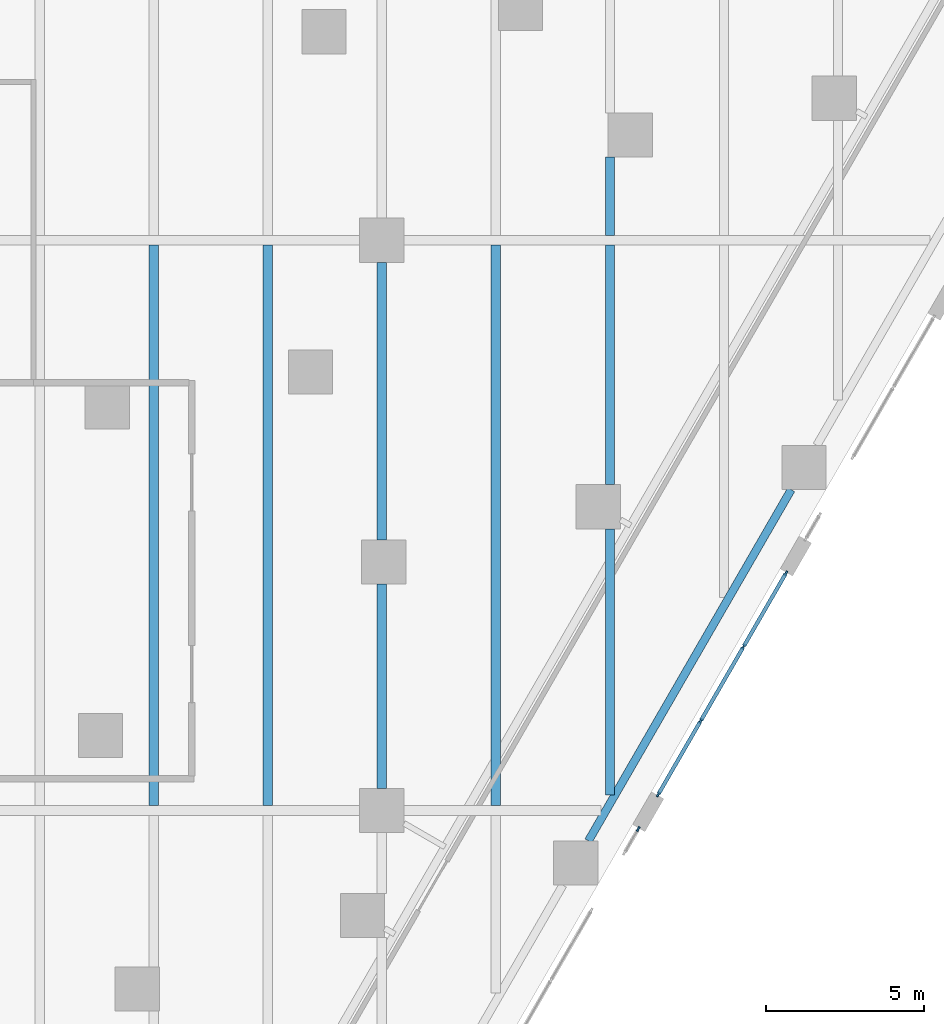
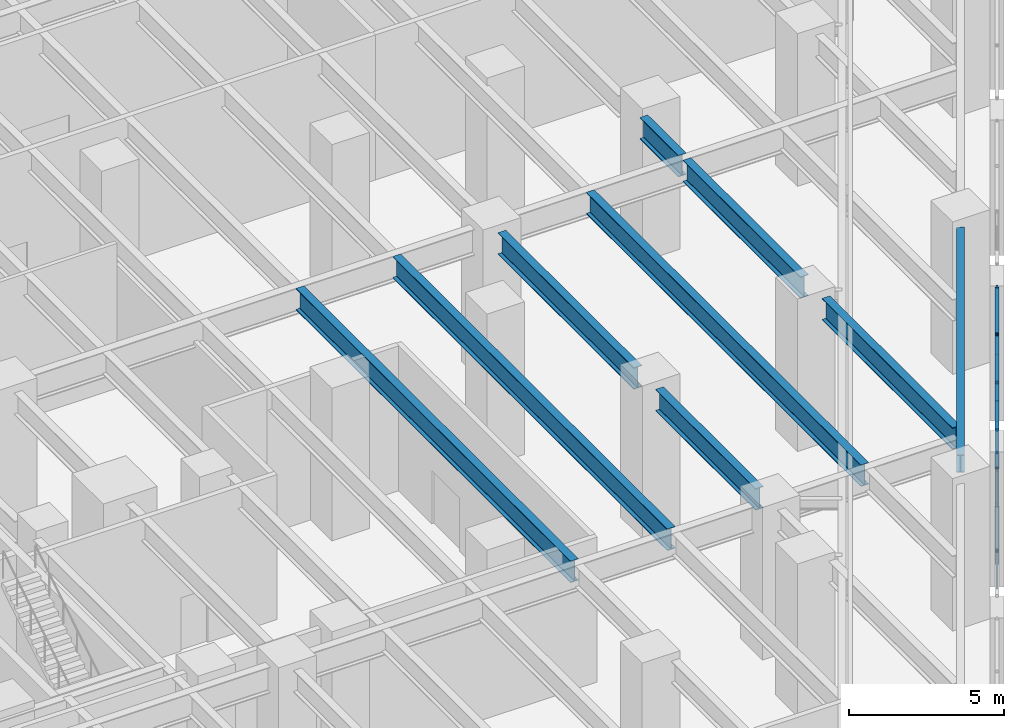
# One storey, part 11 of 37: 14 members, 9 beams, 2 elements without a shape of their own.
"""IFC4 building model written with IfcOpenShell, lengths in metres."""

from ifc_helpers import new_model, si_unit, direction, frame, origin, origin_2d, place, context, subcontext, project, spatial, rectangle, i_section, extrude, material, material_profile, profile_set, type_object, element, aggregate, save


model = new_model("IFC4")

# Units and contexts
model_context = context("Model", 3, precision=1e-05, world=origin(), true_north=direction((0.0, 1.0)))
body_context = subcontext(model_context, "Body", "Model", "MODEL_VIEW")
ifc_project = project(units=[si_unit("LENGTHUNIT", "METRE"), si_unit("AREAUNIT", "SQUARE_METRE"), si_unit("VOLUMEUNIT", "CUBIC_METRE"), si_unit("PLANEANGLEUNIT", "RADIAN"), si_unit("MASSUNIT", "GRAM", prefix="KILO")], contexts=[model_context])

# Site, building, storey
site_placement = place(None, origin())
site = spatial("IfcSite", under=ifc_project, at=site_placement, CompositionType="ELEMENT")
building_placement = place(site_placement, origin())
building = spatial("IfcBuilding", under=site, at=building_placement, Name="Aloe Facet Convention Tower", CompositionType="ELEMENT")
storey_placement = place(building_placement, frame((0.0, 0.0, 7.5)))
storey = spatial("IfcBuildingStorey", under=building, at=storey_placement, Name="L01", CompositionType="ELEMENT", Elevation=7.5)

# Curtain wall, member
ifc_material_1 = material(Name="Aluminium, anodised", Category="aluminium")
curtain_wall_type = type_object("IfcCurtainWallType", Name="EV-CW-SHOP", PredefinedType="USERDEFINED", material=ifc_material_1)
curtain_wall_1_placement = place(storey_placement, origin())
curtain_wall_1 = element("IfcCurtainWall", 1, at=curtain_wall_1_placement, inside=storey, type_object=curtain_wall_type, Name="CW-L01-E10-2", ObjectType="STICK SHOPFRONT GLAZING", PredefinedType="USERDEFINED")
ifc_material_2 = material(Name="Aluminium, anodised", Category="aluminium")
ifc_material_profile_1 = material_profile(ifc_material_2, rectangle(XDim=0.06005859375, YDim=0.159912109375, at=origin_2d()), Name="AL 60x160")
ifc_profile_set_1 = profile_set([ifc_material_profile_1], Name="Aluminium, anodised")
member_type_1 = type_object("IfcMemberType", Name="EV-MULL-SHOP", PredefinedType="MULLION", material=ifc_profile_set_1)
member_1_placement = place(storey_placement, frame((106.093505859375, 80.416015625, -0.300048828125), z_axis=(0.0, 0.0, 1.0), x_axis=(-0.866025403872, 0.499999999849, 0.0)))
member_1 = element("IfcMember", 2, at=member_1_placement, type_object=member_type_1, Name="CW-L01-E10-2 mullion 2", PredefinedType="MULLION", context=body_context, shape_type="SweptSolid", body=[
    extrude(rectangle(XDim=0.06005859375, YDim=0.159912109375, at=origin_2d()), origin(), (0.0, 0.0, 1.0), 5.3125),
])
aggregate(curtain_wall_1, [member_1])

# Curtain wall, members
curtain_wall_2_placement = place(storey_placement, origin())
curtain_wall_2 = element("IfcCurtainWall", 3, at=curtain_wall_2_placement, inside=storey, type_object=curtain_wall_type, Name="CW-L01-E12", ObjectType="STICK SHOPFRONT GLAZING", PredefinedType="USERDEFINED")
member_2_placement = place(storey_placement, frame((106.7236328125, 81.507080078125, -0.300048828125), z_axis=(0.0, 0.0, 1.0), x_axis=(-0.866025403776, 0.500000000015, 0.0)))
member_2 = element("IfcMember", 4, at=member_2_placement, type_object=member_type_1, Name="CW-L01-E12 mullion 1", PredefinedType="MULLION", context=body_context, shape_type="SweptSolid", body=[
    extrude(rectangle(XDim=0.06005859375, YDim=0.159912109375, at=origin_2d()), origin(), (0.0, 0.0, 1.0), 5.3125),
])
member_3_placement = place(storey_placement, frame((108.06201171875, 83.825439453125, -0.300048828125), z_axis=(0.0, 0.0, 1.0), x_axis=(-0.866025403776, 0.500000000015, 0.0)))
member_3 = element("IfcMember", 5, at=member_3_placement, type_object=member_type_1, Name="CW-L01-E12 mullion 2", PredefinedType="MULLION", context=body_context, shape_type="SweptSolid", body=[
    extrude(rectangle(XDim=0.06005859375, YDim=0.159912109375, at=origin_2d()), origin(), (0.0, 0.0, 1.0), 5.3125),
])
member_4_placement = place(storey_placement, frame((109.415771484375, 86.169921875, -0.300048828125), z_axis=(0.0, 0.0, 1.0), x_axis=(-0.866025403776, 0.500000000015, 0.0)))
member_4 = element("IfcMember", 6, at=member_4_placement, type_object=member_type_1, Name="CW-L01-E12 mullion 3", PredefinedType="MULLION", context=body_context, shape_type="SweptSolid", body=[
    extrude(rectangle(XDim=0.06005859375, YDim=0.159912109375, at=origin_2d()), origin(), (0.0, 0.0, 1.0), 5.3125),
])
member_5_placement = place(storey_placement, frame((110.754150390625, 88.488525390625, -0.300048828125), z_axis=(0.0, 0.0, 1.0), x_axis=(-0.866025403776, 0.500000000015, 0.0)))
member_5 = element("IfcMember", 7, at=member_5_placement, type_object=member_type_1, Name="CW-L01-E12 mullion 4", PredefinedType="MULLION", context=body_context, shape_type="SweptSolid", body=[
    extrude(rectangle(XDim=0.06005859375, YDim=0.159912109375, at=origin_2d()), origin(), (0.0, 0.0, 1.0), 5.3125),
])
ifc_material_3 = material(Name="Aluminium, anodised", Category="aluminium")
ifc_material_profile_2 = material_profile(ifc_material_3, rectangle(XDim=0.1201171875, YDim=0.06005859375, at=origin_2d()), Name="AL 120x60")
ifc_profile_set_2 = profile_set([ifc_material_profile_2], Name="Aluminium, anodised")
member_type_2 = type_object("IfcMemberType", Name="EV-TRAN-SHOP", PredefinedType="USERDEFINED", material=ifc_profile_set_2)
member_6_placement = place(storey_placement, frame((106.738525390625, 81.532958984375, -0.27001953125), z_axis=(0.49999161165, 0.866030246746, 0.0), x_axis=(-0.866030246746, 0.49999161165, 0.0)))
member_6 = element("IfcMember", 8, at=member_6_placement, type_object=member_type_2, Name="CW-L01-E12 transom 1.1", ObjectType="TRANSOM", PredefinedType="USERDEFINED", context=body_context, shape_type="SweptSolid", body=[
    extrude(rectangle(XDim=0.1201171875, YDim=0.06005859375, at=origin_2d()), origin(), (0.0, 0.0, 1.0), 2.6171875),
])
member_7_placement = place(storey_placement, frame((106.738525390625, 81.532958984375, 2.356201171875), z_axis=(0.49999161165, 0.866030246746, 0.0), x_axis=(-0.866030246746, 0.49999161165, 0.0)))
member_7 = element("IfcMember", 9, at=member_7_placement, type_object=member_type_2, Name="CW-L01-E12 transom 1.2", ObjectType="TRANSOM", PredefinedType="USERDEFINED", context=body_context, shape_type="SweptSolid", body=[
    extrude(rectangle(XDim=0.1201171875, YDim=0.06005859375, at=origin_2d()), origin(), (0.0, 0.0, 1.0), 2.6171875),
])
member_8_placement = place(storey_placement, frame((106.738525390625, 81.532958984375, 4.982421875), z_axis=(0.49999161165, 0.866030246746, 0.0), x_axis=(-0.866030246746, 0.49999161165, 0.0)))
member_8 = element("IfcMember", 10, at=member_8_placement, type_object=member_type_2, Name="CW-L01-E12 transom 1.3", ObjectType="TRANSOM", PredefinedType="USERDEFINED", context=body_context, shape_type="SweptSolid", body=[
    extrude(rectangle(XDim=0.1201171875, YDim=0.06005859375, at=origin_2d()), origin(), (0.0, 0.0, 1.0), 2.6171875),
])
member_9_placement = place(storey_placement, frame((108.0771484375, 83.8515625, -0.27001953125), z_axis=(0.499977931934, 0.866038144413, 0.0), x_axis=(-0.866038144413, 0.499977931934, 0.0)))
member_9 = element("IfcMember", 11, at=member_9_placement, type_object=member_type_2, Name="CW-L01-E12 transom 2.1", ObjectType="TRANSOM", PredefinedType="USERDEFINED", context=body_context, shape_type="SweptSolid", body=[
    extrude(rectangle(XDim=0.1201171875, YDim=0.06005859375, at=origin_2d()), origin(), (0.0, 0.0, 1.0), 2.64697265625),
])
member_10_placement = place(storey_placement, frame((108.0771484375, 83.8515625, 2.356201171875), z_axis=(0.499977931934, 0.866038144413, 0.0), x_axis=(-0.866038144413, 0.499977931934, 0.0)))
member_10 = element("IfcMember", 12, at=member_10_placement, type_object=member_type_2, Name="CW-L01-E12 transom 2.2", ObjectType="TRANSOM", PredefinedType="USERDEFINED", context=body_context, shape_type="SweptSolid", body=[
    extrude(rectangle(XDim=0.1201171875, YDim=0.06005859375, at=origin_2d()), origin(), (0.0, 0.0, 1.0), 2.64697265625),
])
member_11_placement = place(storey_placement, frame((108.0771484375, 83.8515625, 4.982421875), z_axis=(0.499977931934, 0.866038144413, 0.0), x_axis=(-0.866038144413, 0.499977931934, 0.0)))
member_11 = element("IfcMember", 13, at=member_11_placement, type_object=member_type_2, Name="CW-L01-E12 transom 2.3", ObjectType="TRANSOM", PredefinedType="USERDEFINED", context=body_context, shape_type="SweptSolid", body=[
    extrude(rectangle(XDim=0.1201171875, YDim=0.06005859375, at=origin_2d()), origin(), (0.0, 0.0, 1.0), 2.64697265625),
])
member_12_placement = place(storey_placement, frame((109.4306640625, 86.196044921875, -0.27001953125), z_axis=(0.500032006216, 0.866006924198, 0.0), x_axis=(-0.866006924198, 0.500032006216, 0.0)))
member_12 = element("IfcMember", 14, at=member_12_placement, type_object=member_type_2, Name="CW-L01-E12 transom 3.1", ObjectType="TRANSOM", PredefinedType="USERDEFINED", context=body_context, shape_type="SweptSolid", body=[
    extrude(rectangle(XDim=0.1201171875, YDim=0.06005859375, at=origin_2d()), origin(), (0.0, 0.0, 1.0), 2.616943359375),
])
member_13_placement = place(storey_placement, frame((109.4306640625, 86.196044921875, 2.356201171875), z_axis=(0.500032006216, 0.866006924198, 0.0), x_axis=(-0.866006924198, 0.500032006216, 0.0)))
member_13 = element("IfcMember", 15, at=member_13_placement, type_object=member_type_2, Name="CW-L01-E12 transom 3.2", ObjectType="TRANSOM", PredefinedType="USERDEFINED", context=body_context, shape_type="SweptSolid", body=[
    extrude(rectangle(XDim=0.1201171875, YDim=0.06005859375, at=origin_2d()), origin(), (0.0, 0.0, 1.0), 2.616943359375),
])
member_14_placement = place(storey_placement, frame((109.4306640625, 86.196044921875, 4.982421875), z_axis=(0.500032006216, 0.866006924198, 0.0), x_axis=(-0.866006924198, 0.500032006216, 0.0)))
member_14 = element("IfcMember", 16, at=member_14_placement, type_object=member_type_2, Name="CW-L01-E12 transom 3.3", ObjectType="TRANSOM", PredefinedType="USERDEFINED", context=body_context, shape_type="SweptSolid", body=[
    extrude(rectangle(XDim=0.1201171875, YDim=0.06005859375, at=origin_2d()), origin(), (0.0, 0.0, 1.0), 2.616943359375),
])
aggregate(curtain_wall_2, [member_2, member_3, member_4, member_5, member_6, member_7, member_8, member_9, member_10, member_11, member_12, member_13, member_14])

# Beams
ifc_material_4 = material(Name="Steel S355", Category="steel")
ifc_material_profile_3 = material_profile(ifc_material_4, i_section(OverallWidth=0.25439453125, OverallDepth=0.6875, WebThickness=0.01318359375, FlangeThickness=0.02099609375, FilletRadius=0.01513671875, at=origin_2d()), Name="UB 686x254x152")
ifc_profile_set_3 = profile_set([ifc_material_profile_3], Name="Steel S355")
beam_type_1 = type_object("IfcBeamType", Name="SF-B-UB686x254x152", PredefinedType="BEAM", material=ifc_profile_set_3)
beam_1_placement = place(storey_placement, frame((110.92138671875, 91.1279296875, 5.356201171875), z_axis=(-0.499999833739, -0.866025499775, 0.0), x_axis=(0.866025499775, -0.499999833739, 0.0)))
element("IfcBeam", 17, at=beam_1_placement, inside=storey, type_object=beam_type_1, Name="Floor beam FB-L02-021", PredefinedType="BEAM", context=body_context, shape_type="SweptSolid", body=[
    extrude(i_section(OverallWidth=0.25439453125, OverallDepth=0.6875, WebThickness=0.01318359375, FlangeThickness=0.02099609375, FilletRadius=0.01513671875, at=origin_2d()), origin(), (0.0, 0.0, 1.0), 12.7998046875),
])
ifc_material_5 = material(Name="Steel S355", Category="steel")
ifc_material_profile_4 = material_profile(ifc_material_5, i_section(OverallWidth=0.293701171875, OverallDepth=0.850830078125, WebThickness=0.01611328125, FlangeThickness=0.02685546875, FilletRadius=0.017822265625, at=origin_2d()), Name="UB 838x292x226")
ifc_profile_set_4 = profile_set([ifc_material_profile_4], Name="Steel S355")
beam_type_2 = type_object("IfcBeamType", Name="SF-B-UB838x292x226", PredefinedType="BEAM", material=ifc_profile_set_4)
for number, where, z_axis, x_axis, name in (
    (18, (90.800048828125, 81.152587890625, 5.2744140625), (0.0, 1.0, 0.0), (-1.0, 0.0, 0.0), "Floor beam FB-L02-129"),
    (19, (94.39990234375, 81.152587890625, 5.2744140625), (0.0, 1.0, 0.0), (-1.0, 0.0, 0.0), "Floor beam FB-L02-133"),
):
    element("IfcBeam", number, at=place(storey_placement, frame(where, z_axis=z_axis, x_axis=x_axis)), inside=storey, type_object=beam_type_2, Name=name, PredefinedType="BEAM", context=body_context, shape_type="SweptSolid", body=[
        extrude(i_section(OverallWidth=0.293701171875, OverallDepth=0.850830078125, WebThickness=0.01611328125, FlangeThickness=0.02685546875, FilletRadius=0.017822265625, at=origin_2d()), origin(), (0.0, 0.0, 1.0), 17.69482421875),
    ])
beam_2_placement = place(storey_placement, frame((98.0, 81.699951171875, 5.2744140625), z_axis=(0.0, 1.0, 0.0), x_axis=(-1.0, 0.0, 0.0)))
element("IfcBeam", 20, at=beam_2_placement, inside=storey, type_object=beam_type_2, Name="Floor beam FB-L02-138", PredefinedType="BEAM", context=body_context, shape_type="SweptSolid", body=[
    extrude(i_section(OverallWidth=0.293701171875, OverallDepth=0.850830078125, WebThickness=0.01611328125, FlangeThickness=0.02685546875, FilletRadius=0.017822265625, at=origin_2d()), origin(), (0.0, 0.0, 1.0), 6.445068359375),
])
beam_3_placement = place(storey_placement, frame((98.0, 89.544921875, 5.2744140625), z_axis=(0.0, 1.0, 0.0), x_axis=(-1.0, 0.0, 0.0)))
element("IfcBeam", 21, at=beam_3_placement, inside=storey, type_object=beam_type_2, Name="Floor beam FB-L02-139", PredefinedType="BEAM", context=body_context, shape_type="SweptSolid", body=[
    extrude(i_section(OverallWidth=0.293701171875, OverallDepth=0.850830078125, WebThickness=0.01611328125, FlangeThickness=0.02685546875, FilletRadius=0.017822265625, at=origin_2d()), origin(), (0.0, 0.0, 1.0), 8.755126953125),
])
beam_4_placement = place(storey_placement, frame((101.60009765625, 81.152587890625, 5.2744140625), z_axis=(0.0, 1.0, 0.0), x_axis=(-1.0, 0.0, 0.0)))
element("IfcBeam", 22, at=beam_4_placement, inside=storey, type_object=beam_type_2, Name="Floor beam FB-L02-143", PredefinedType="BEAM", context=body_context, shape_type="SweptSolid", body=[
    extrude(i_section(OverallWidth=0.293701171875, OverallDepth=0.850830078125, WebThickness=0.01611328125, FlangeThickness=0.02685546875, FilletRadius=0.017822265625, at=origin_2d()), origin(), (0.0, 0.0, 1.0), 17.69482421875),
])
beam_5_placement = place(storey_placement, frame((105.199951171875, 81.482666015625, 5.2744140625), z_axis=(0.0, 1.0, 0.0), x_axis=(-1.0, 0.0, 0.0)))
element("IfcBeam", 23, at=beam_5_placement, inside=storey, type_object=beam_type_2, Name="Floor beam FB-L02-146", PredefinedType="BEAM", context=body_context, shape_type="SweptSolid", body=[
    extrude(i_section(OverallWidth=0.293701171875, OverallDepth=0.850830078125, WebThickness=0.01611328125, FlangeThickness=0.02685546875, FilletRadius=0.017822265625, at=origin_2d()), origin(), (0.0, 0.0, 1.0), 8.40234375),
])
beam_6_placement = place(storey_placement, frame((105.199951171875, 91.284912109375, 5.2744140625), z_axis=(0.0, 1.0, 0.0), x_axis=(-1.0, 0.0, 0.0)))
element("IfcBeam", 24, at=beam_6_placement, inside=storey, type_object=beam_type_2, Name="Floor beam FB-L02-147", PredefinedType="BEAM", context=body_context, shape_type="SweptSolid", body=[
    extrude(i_section(OverallWidth=0.293701171875, OverallDepth=0.850830078125, WebThickness=0.01611328125, FlangeThickness=0.02685546875, FilletRadius=0.017822265625, at=origin_2d()), origin(), (0.0, 0.0, 1.0), 7.5625),
])
beam_7_placement = place(storey_placement, frame((105.199951171875, 99.152587890625, 5.2744140625), z_axis=(0.0, 1.0, 0.0), x_axis=(-1.0, 0.0, 0.0)))
element("IfcBeam", 25, at=beam_7_placement, inside=storey, type_object=beam_type_2, Name="Floor beam FB-L02-148", PredefinedType="BEAM", context=body_context, shape_type="SweptSolid", body=[
    extrude(i_section(OverallWidth=0.293701171875, OverallDepth=0.850830078125, WebThickness=0.01611328125, FlangeThickness=0.02685546875, FilletRadius=0.017822265625, at=origin_2d()), origin(), (0.0, 0.0, 1.0), 2.472412109375),
])

save(model, "model.ifc")
